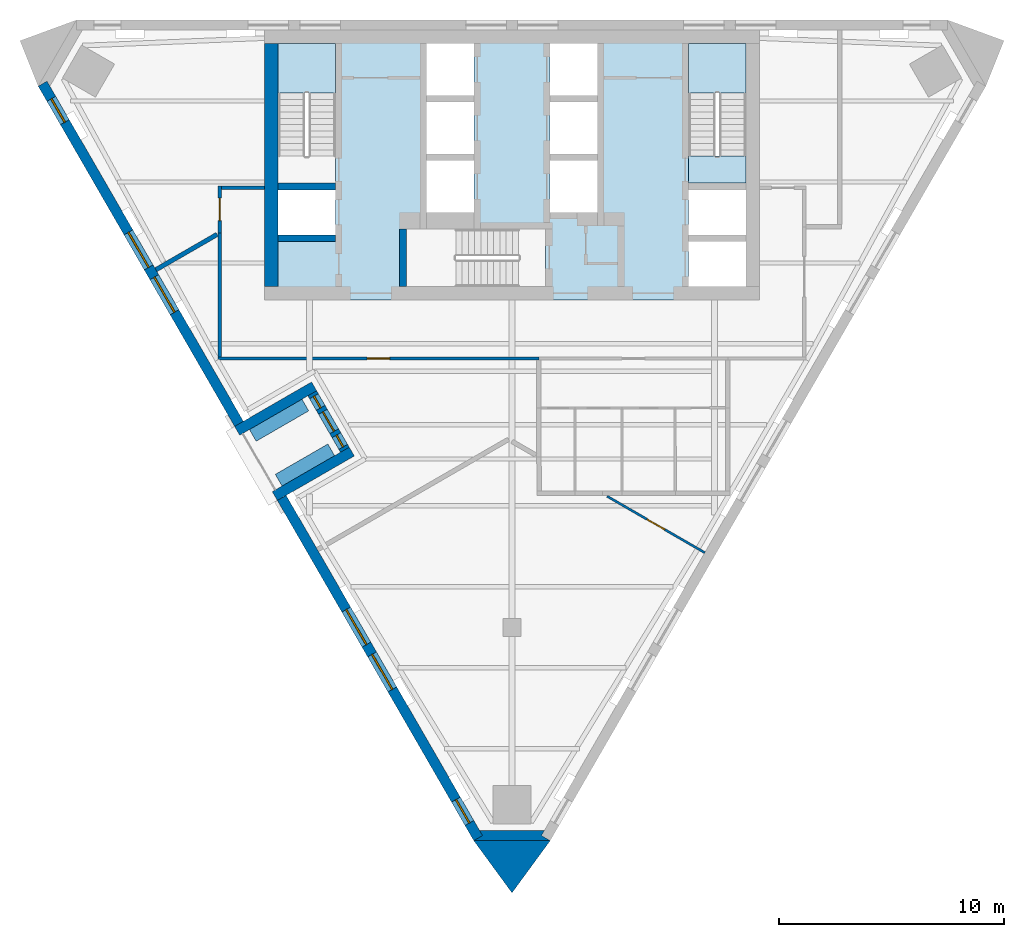
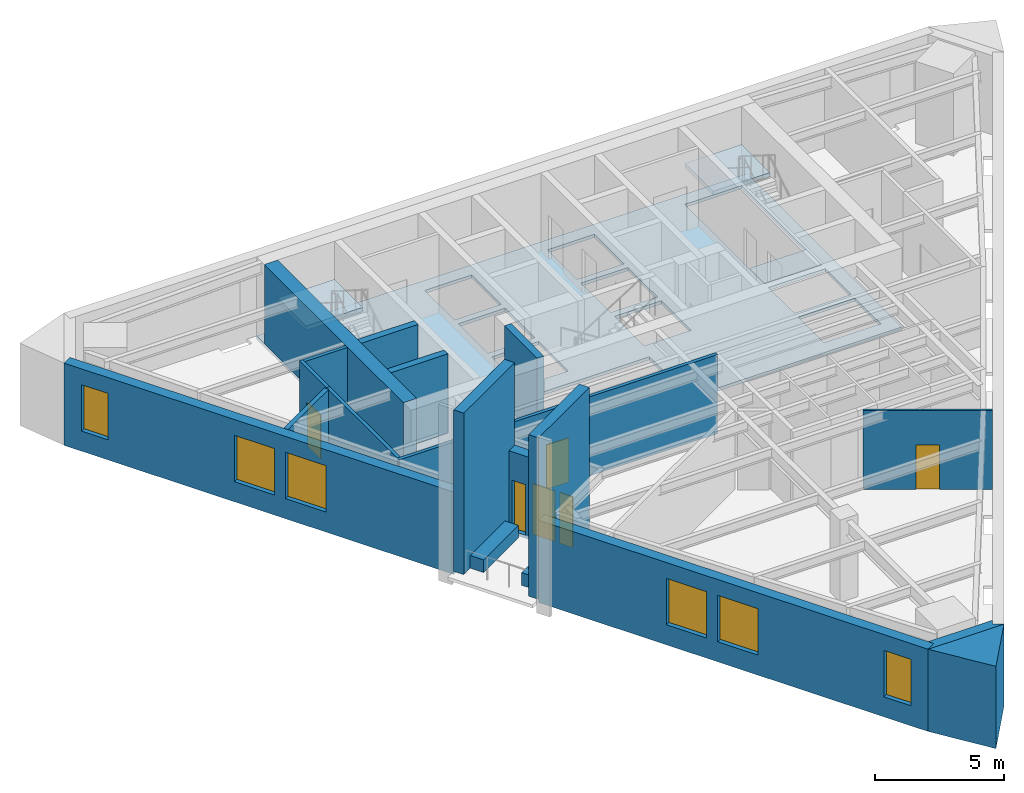
# One storey, part 2 of 6: 19 walls, 8 windows, 4 doors, 4 slabs, 12 openings, 2 elements without a shape of their own.
"""IFC4 building model written with IfcOpenShell, lengths in metres."""

from ifc_helpers import new_model, si_unit, direction, frame, frame_2d, origin, place, context, subcontext, project, spatial, polyline, rectangle, outline, extrude, material, layer, layer_set, type_object, element, fill, aggregate, save


model = new_model("IFC4")

# Units and contexts
model_context = context("Model", 3, precision=1e-05, world=origin(), true_north=direction((0.0, 1.0)))
body_context = subcontext(model_context, "Body", "Model", "MODEL_VIEW")
ifc_project = project(units=[si_unit("LENGTHUNIT", "METRE"), si_unit("AREAUNIT", "SQUARE_METRE"), si_unit("VOLUMEUNIT", "CUBIC_METRE"), si_unit("PLANEANGLEUNIT", "RADIAN"), si_unit("MASSUNIT", "GRAM", prefix="KILO")], contexts=[model_context])

# Site, building, storey
site_placement = place(None, origin())
site = spatial("IfcSite", under=ifc_project, at=site_placement, CompositionType="ELEMENT")
building_placement = place(site_placement, origin())
building = spatial("IfcBuilding", under=site, at=building_placement, Name="Aloe Facet Convention Tower", CompositionType="ELEMENT")
storey_placement = place(building_placement, frame((0.0, 0.0, 199.699951171875)))
storey = spatial("IfcBuildingStorey", under=building, at=storey_placement, Name="L50", CompositionType="ELEMENT", Elevation=199.699951171875)

# Slabs
ifc_material_1 = material(Name="Concrete C50/60", Category="concrete")
ifc_layer_1 = layer(ifc_material_1, 0.14990234375)
ifc_layer_set_1 = layer_set([ifc_layer_1], Name="CR-S-FLOOR150-C5060")
slab_type_1 = type_object("IfcSlabType", Name="CR-S-FLOOR150-C5060", PredefinedType="FLOOR", material=ifc_layer_set_1)
slab_1_placement = place(storey_placement, frame((0.0, 0.0, -0.14990234375)))
element("IfcSlab", 1, at=slab_1_placement, inside=storey, type_object=slab_type_1, Name="Core floor L50", PredefinedType="FLOOR", context=body_context, shape_type="SweptSolid", body=[
    extrude(outline(polyline([(71.85009765625, 134.550048828125), (72.75, 134.550048828125), (75.60009765625, 134.550048828125), (76.5, 134.550048828125), (78.0, 134.550048828125), (78.89990234375, 134.550048828125), (81.10009765625, 134.550048828125), (82.0, 134.550048828125), (83.5, 134.550048828125), (84.39990234375, 134.550048828125), (87.25, 134.550048828125), (88.14990234375, 134.550048828125), (91.0, 134.550048828125), (91.0, 128.050048828125), (91.0, 127.14990234375), (91.0, 125.75), (91.0, 124.85009765625), (91.0, 122.550048828125), (88.14990234375, 122.550048828125), (87.25, 122.550048828125), (85.300048828125, 122.550048828125), (84.39990234375, 122.550048828125), (82.10009765625, 122.550048828125), (81.199951171875, 122.550048828125), (75.60009765625, 122.550048828125), (74.699951171875, 122.550048828125), (72.75, 122.550048828125), (71.85009765625, 122.550048828125), (69.0, 122.550048828125), (69.0, 124.85009765625), (69.0, 125.75), (69.0, 127.14990234375), (69.0, 128.050048828125), (69.0, 134.550048828125), (71.85009765625, 134.550048828125)]), holes=[polyline([(80.298828125, 123.14990234375), (81.5, 123.14990234375), (81.5, 125.699951171875), (80.298828125, 125.699951171875), (75.300048828125, 125.699951171875), (75.300048828125, 123.14990234375), (80.298828125, 123.14990234375)]), polyline([(69.60009765625, 125.449951171875), (72.14990234375, 125.449951171875), (72.14990234375, 127.449951171875), (69.60009765625, 127.449951171875), (69.60009765625, 125.449951171875)]), polyline([(76.199951171875, 126.449951171875), (78.300048828125, 126.449951171875), (78.300048828125, 128.75), (76.199951171875, 128.75), (76.199951171875, 126.449951171875)]), polyline([(78.300048828125, 129.050048828125), (78.300048828125, 131.35009765625), (76.199951171875, 131.35009765625), (76.199951171875, 129.050048828125), (78.300048828125, 129.050048828125)]), polyline([(69.60009765625, 133.949951171875), (69.60009765625, 128.951171875), (69.60009765625, 127.75), (72.14990234375, 127.75), (72.14990234375, 128.951171875), (72.14990234375, 133.949951171875), (69.60009765625, 133.949951171875)]), polyline([(76.199951171875, 131.64990234375), (78.300048828125, 131.64990234375), (78.300048828125, 133.949951171875), (76.199951171875, 133.949951171875), (76.199951171875, 131.64990234375)]), polyline([(90.39990234375, 123.14990234375), (90.39990234375, 125.14990234375), (87.85009765625, 125.14990234375), (87.85009765625, 123.14990234375), (90.39990234375, 123.14990234375)]), polyline([(87.85009765625, 125.449951171875), (90.39990234375, 125.449951171875), (90.39990234375, 127.449951171875), (87.85009765625, 127.449951171875), (87.85009765625, 125.449951171875)]), polyline([(81.699951171875, 126.449951171875), (83.800048828125, 126.449951171875), (83.800048828125, 128.75), (81.699951171875, 128.75), (81.699951171875, 126.449951171875)]), polyline([(83.800048828125, 129.050048828125), (83.800048828125, 131.35009765625), (81.699951171875, 131.35009765625), (81.699951171875, 129.050048828125), (83.800048828125, 129.050048828125)]), polyline([(87.85009765625, 133.949951171875), (87.85009765625, 128.951171875), (87.85009765625, 127.75), (90.39990234375, 127.75), (90.39990234375, 128.951171875), (90.39990234375, 133.949951171875), (87.85009765625, 133.949951171875)]), polyline([(81.699951171875, 131.64990234375), (83.800048828125, 131.64990234375), (83.800048828125, 133.949951171875), (81.699951171875, 133.949951171875), (81.699951171875, 131.64990234375)])]), origin(), (0.0, 0.0, 1.0), 0.14990234375),
])
ifc_material_2 = material(Name="Concrete C50/60", Category="concrete")
ifc_layer_2 = layer(ifc_material_2, 0.300048828125)
ifc_layer_set_2 = layer_set([ifc_layer_2], Name="CR-S-FLOOR300-C5060")
slab_type_2 = type_object("IfcSlabType", Name="CR-S-FLOOR300-C5060", PredefinedType="FLOOR", material=ifc_layer_set_2)
slab_2_placement = place(storey_placement, frame((0.0, 0.0, -0.300048828125)))
element("IfcSlab", 2, at=slab_2_placement, inside=storey, type_object=slab_type_2, Name="Stair landing floor L50", PredefinedType="FLOOR", context=body_context, shape_type="SweptSolid", body=[
    extrude(outline(polyline([(90.39990234375, 127.75), (90.39990234375, 128.951171875), (87.85009765625, 128.951171875), (87.85009765625, 127.75), (90.39990234375, 127.75)])), origin(), (0.0, 0.0, 1.0), 0.300048828125),
])

# Stair, slab
ifc_material_3 = material(Name="Concrete C50/60", Category="concrete")
stair_type = type_object("IfcStairType", Name="CR-ST-22R", PredefinedType="HALF_TURN_STAIR", material=ifc_material_3)
stair_1_placement = place(storey_placement, origin())
stair_1 = element("IfcStair", 3, at=stair_1_placement, inside=storey, type_object=stair_type, Name="L50 Protected exit stair ST1", PredefinedType="HALF_TURN_STAIR")
ifc_material_4 = material(Name="Concrete C50/60", Category="concrete")
ifc_layer_3 = layer(ifc_material_4, 0.199951171875)
ifc_layer_set_3 = layer_set([ifc_layer_3], Name="CR-SL-LANDING")
slab_type_3 = type_object("IfcSlabType", Name="CR-SL-LANDING", PredefinedType="LANDING", material=ifc_layer_set_3)
slab_3_placement = place(storey_placement, frame((0.0, 0.0, 1.75)))
slab_3 = element("IfcSlab", 4, at=slab_3_placement, type_object=slab_type_3, Name="ST1 landing 1", PredefinedType="LANDING", context=body_context, shape_type="SweptSolid", body=[
    extrude(outline(polyline([(72.14990234375, 131.75), (72.14990234375, 133.949951171875), (69.60009765625, 133.949951171875), (69.60009765625, 131.75), (72.14990234375, 131.75)])), origin(), (0.0, 0.0, 1.0), 0.199951171875),
])
aggregate(stair_1, [slab_3])

stair_2_placement = place(storey_placement, origin())
stair_2 = element("IfcStair", 5, at=stair_2_placement, inside=storey, type_object=stair_type, Name="L50 Protected exit stair ST2", PredefinedType="HALF_TURN_STAIR")
slab_4_placement = place(storey_placement, frame((0.0, 0.0, 1.75)))
slab_4 = element("IfcSlab", 6, at=slab_4_placement, type_object=slab_type_3, Name="ST2 landing 1", PredefinedType="LANDING", context=body_context, shape_type="SweptSolid", body=[
    extrude(outline(polyline([(90.39990234375, 131.75), (90.39990234375, 133.949951171875), (87.85009765625, 133.949951171875), (87.85009765625, 131.75), (90.39990234375, 131.75)])), origin(), (0.0, 0.0, 1.0), 0.199951171875),
])
aggregate(stair_2, [slab_4])

# Walls
ifc_material_5 = material(Name="Concrete C50/60", Category="concrete")
ifc_layer_4 = layer(ifc_material_5, 0.300048828125)
ifc_layer_set_4 = layer_set([ifc_layer_4], Name="CR-W-RC300-C5060")
wall_type_1 = type_object("IfcWallType", Name="CR-W-RC300-C5060", PredefinedType="SOLIDWALL", material=ifc_layer_set_4)
for number, where, z_axis, x_axis, name in (
    (7, (69.60009765625, 127.60009765625, 0.0), (0.0, 0.0, 1.0), (1.0, 0.0, 0.0), "Core wall L50-004"),
    (8, (69.60009765625, 125.300048828125, 0.0), (0.0, 0.0, 1.0), (1.0, 0.0, 0.0), "Core wall L50-005"),
):
    element("IfcWall", number, at=place(storey_placement, frame(where, z_axis=z_axis, x_axis=x_axis)), inside=storey, type_object=wall_type_1, Name=name, PredefinedType="SOLIDWALL", context=body_context, shape_type="SweptSolid", body=[
        extrude(rectangle(XDim=2.5498046875, YDim=0.300048828125, at=frame_2d((1.27490234375, 0.0))), origin(), (0.0, 0.0, 1.0), 3.75),
    ])
wall_1_placement = place(storey_placement, frame((75.14990234375, 125.699951171875, 0.0), z_axis=(0.0, 0.0, 1.0), x_axis=(0.0, -1.0, 0.0)))
element("IfcWall", 9, at=wall_1_placement, inside=storey, type_object=wall_type_1, Name="Core wall L50-009", PredefinedType="SOLIDWALL", context=body_context, shape_type="SweptSolid", body=[
    extrude(rectangle(XDim=2.550048828125, YDim=0.300048828125, at=frame_2d((1.27490234375, 0.0))), origin(), (0.0, 0.0, 1.0), 3.75),
])
ifc_material_6 = material(Name="Concrete C50/60", Category="concrete")
ifc_layer_5 = layer(ifc_material_6, 0.60009765625)
ifc_layer_set_5 = layer_set([ifc_layer_5], Name="CR-W-RC600-C5060")
wall_type_2 = type_object("IfcWallType", Name="CR-W-RC600-C5060", PredefinedType="SOLIDWALL", material=ifc_layer_set_5)
wall_2_placement = place(storey_placement, frame((69.300048828125, 133.949951171875, 0.0), z_axis=(0.0, 0.0, 1.0), x_axis=(0.0, -1.0, 0.0)))
element("IfcWall", 10, at=wall_2_placement, inside=storey, type_object=wall_type_2, Name="Core wall L50-002", PredefinedType="SOLIDWALL", context=body_context, shape_type="SweptSolid", body=[
    extrude(rectangle(XDim=10.800048828125, YDim=0.60009765625, at=frame_2d((5.39990234375, 0.0))), origin(), (0.0, 0.0, 1.0), 3.75),
])
ifc_material_7 = material(Name="Precast concrete C40/50", Category="concrete")
ifc_layer_6 = layer(ifc_material_7, 0.60009765625)
ifc_layer_set_6 = layer_set([ifc_layer_6], Name="EV-PLANTER")
wall_type_3 = type_object("IfcWallType", Name="EV-PLANTER", PredefinedType="STANDARD", material=ifc_layer_set_6)
for number, where, z_axis, x_axis, name in (
    (11, (68.4755859375, 116.53125, 0.0), (0.0, 0.0, 1.0), (0.866059108428, 0.4999416173, 0.0), "PLANTER T11-1"),
    (12, (69.625732421875, 114.539306640625, 0.0), (0.0, 0.0, 1.0), (0.86599734893, 0.500048589285, 0.0), "PLANTER T11-2"),
):
    element("IfcWall", number, at=place(storey_placement, frame(where, z_axis=z_axis, x_axis=x_axis)), inside=storey, type_object=wall_type_3, Name=name, PredefinedType="STANDARD", context=body_context, shape_type="SweptSolid", body=[
        extrude(rectangle(XDim=2.699951171875, YDim=0.60009765625, at=frame_2d((1.35009765625, 0.0))), origin(), (0.0, 0.0, 1.0), 0.60009765625),
    ])
ifc_material_8 = material(Name="Precast concrete C40/50", Category="concrete")
ifc_layer_7 = layer(ifc_material_8, 0.449951171875)
ifc_layer_set_7 = layer_set([ifc_layer_7], Name="EV-WALL-PIER")
wall_type_4 = type_object("IfcWallType", Name="EV-WALL-PIER", PredefinedType="SOLIDWALL", material=ifc_layer_set_7)
wall_3_placement = place(storey_placement, frame((0.0, 0.0, -0.14990234375)))
element("IfcWall", 13, at=wall_3_placement, inside=storey, type_object=wall_type_4, Name="EP-L50-B", PredefinedType="SOLIDWALL", context=body_context, shape_type="SweptSolid", body=[
    extrude(outline(polyline([(78.300048828125, 98.514892578125), (78.689697265625, 98.739990234375), (78.559814453125, 98.965087890625), (81.440185546875, 98.965087890625), (81.310302734375, 98.739990234375), (81.699951171875, 98.514892578125), (78.300048828125, 98.514892578125)])), origin(), (0.0, 0.0, 1.0), 3.89990234375),
])
ifc_material_9 = material(Name="Precast concrete C40/50", Category="concrete")
ifc_layer_8 = layer(ifc_material_9, 3.947998046875)
ifc_layer_set_8 = layer_set([ifc_layer_8], Name="EV-WALL-SPINE")
wall_type_5 = type_object("IfcWallType", Name="EV-WALL-SPINE", PredefinedType="SOLIDWALL", material=ifc_layer_set_8)
wall_4_placement = place(storey_placement, frame((0.0, 0.0, -0.14990234375)))
element("IfcWall", 14, at=wall_4_placement, inside=storey, type_object=wall_type_5, Name="SP-S-L50", PredefinedType="SOLIDWALL", context=body_context, shape_type="SweptSolid", body=[
    extrude(outline(polyline([(78.300048828125, 98.514892578125), (80.0, 96.192138671875), (81.699951171875, 98.514892578125), (78.300048828125, 98.514892578125)])), origin(), (0.0, 0.0, 1.0), 3.89990234375),
])

# Wall, openings, windows
ifc_material_10 = material(Name="Precast concrete C40/50", Category="concrete")
ifc_layer_9 = layer(ifc_material_10, 0.449951171875)
ifc_layer_set_9 = layer_set([ifc_layer_9], Name="EV-WALL-STONE")
wall_type_6 = type_object("IfcWallType", Name="EV-WALL-STONE", PredefinedType="SOLIDWALL", material=ifc_layer_set_9)
wall_5_placement = place(storey_placement, frame((59.130126953125, 132.16796875, -0.14990234375), z_axis=(0.0, 0.0, 1.0), x_axis=(0.500006012489, -0.866021932445, 0.0)))
wall_5 = element("IfcWall", 15, at=wall_5_placement, inside=storey, type_object=wall_type_6, Name="EW-L50-W01", PredefinedType="SOLIDWALL", context=body_context, shape_type="SweptSolid", body=[
    extrude(outline(polyline([(0.0, 0.0), (0.0, 3.89990234375), (17.464599609375, 3.89990234375), (17.464599609375, 0.0), (0.0, 0.0)])), frame((0.0, 0.22509765625, 0.0), z_axis=(0.0, -1.0, 0.0), x_axis=(1.0, 0.0, 0.0)), (0.0, 0.0, 1.0), 0.449951171875),
])
opening_1_placement = place(wall_5_placement, frame((0.776123046875, 0.0, 0.949951171875)))
opening_1 = element("IfcOpeningElement", 16, at=opening_1_placement, cuts=wall_5, Name="Opening W-L50-W01", PredefinedType="OPENING", context=body_context, shape_type="SweptSolid", body=[
    extrude(rectangle(XDim=1.199951171875, YDim=2.199951171875, at=frame_2d((0.60009765625, 1.10009765625))), frame((0.0, 0.23486328125, 0.0), z_axis=(0.0, -1.0, 0.0), x_axis=(1.0, 0.0, 0.0)), (0.0, 0.0, 1.0), 0.469970703125),
])
opening_2_placement = place(wall_5_placement, frame((7.63232421875, 0.0, 0.949951171875)))
opening_2 = element("IfcOpeningElement", 17, at=opening_2_placement, cuts=wall_5, Name="Opening W-L50-W02", PredefinedType="OPENING", context=body_context, shape_type="SweptSolid", body=[
    extrude(rectangle(XDim=1.800048828125, YDim=2.199951171875, at=frame_2d((0.89990234375, 1.10009765625))), frame((0.0, 0.23486328125, 0.0), z_axis=(0.0, -1.0, 0.0), x_axis=(1.0, 0.0, 0.0)), (0.0, 0.0, 1.0), 0.469970703125),
])
opening_3_placement = place(wall_5_placement, frame((9.932373046875, 0.0, 0.949951171875)))
opening_3 = element("IfcOpeningElement", 18, at=opening_3_placement, cuts=wall_5, Name="Opening W-L50-W03", PredefinedType="OPENING", context=body_context, shape_type="SweptSolid", body=[
    extrude(rectangle(XDim=1.800048828125, YDim=2.199951171875, at=frame_2d((0.89990234375, 1.10009765625))), frame((0.0, 0.23486328125, 0.0), z_axis=(0.0, -1.0, 0.0), x_axis=(1.0, 0.0, 0.0)), (0.0, 0.0, 1.0), 0.469970703125),
])
ifc_material_11 = material(Name="Aluminium frame, clear double glazing", Category="aluminium")
window_type_1 = type_object("IfcWindowType", Name="EV-WIN-O12", PartitioningType="SINGLE_PANEL", PredefinedType="WINDOW", material=ifc_material_11)
window_1_placement = place(opening_1_placement, origin())
window_1 = element("IfcWindow", 19, at=window_1_placement, inside=storey, type_object=window_type_1, Name="W-L50-W01", OverallHeight=2.199951171875, OverallWidth=1.199951171875, PartitioningType="SINGLE_PANEL", PredefinedType="WINDOW", context=body_context, shape_type="SweptSolid", body=[
    extrude(rectangle(XDim=1.199951171875, YDim=2.199951171875, at=frame_2d((0.60009765625, 1.10009765625))), frame((0.0, 0.030029296875, 0.0), z_axis=(0.0, -1.0, 0.0), x_axis=(1.0, 0.0, 0.0)), (0.0, 0.0, 1.0), 0.06005859375),
])
fill(opening_1, window_1)
ifc_material_12 = material(Name="Aluminium frame, clear double glazing", Category="aluminium")
window_type_2 = type_object("IfcWindowType", Name="EV-WIN-O18", PartitioningType="SINGLE_PANEL", PredefinedType="WINDOW", material=ifc_material_12)
window_2_placement = place(opening_2_placement, origin())
window_2 = element("IfcWindow", 20, at=window_2_placement, inside=storey, type_object=window_type_2, Name="W-L50-W02", OverallHeight=2.199951171875, OverallWidth=1.800048828125, PartitioningType="SINGLE_PANEL", PredefinedType="WINDOW", context=body_context, shape_type="SweptSolid", body=[
    extrude(rectangle(XDim=1.800048828125, YDim=2.199951171875, at=frame_2d((0.89990234375, 1.10009765625))), frame((0.0, 0.030029296875, 0.0), z_axis=(0.0, -1.0, 0.0), x_axis=(1.0, 0.0, 0.0)), (0.0, 0.0, 1.0), 0.06005859375),
])
fill(opening_2, window_2)
window_3_placement = place(opening_3_placement, origin())
window_3 = element("IfcWindow", 21, at=window_3_placement, inside=storey, type_object=window_type_2, Name="W-L50-W03", OverallHeight=2.199951171875, OverallWidth=1.800048828125, PartitioningType="SINGLE_PANEL", PredefinedType="WINDOW", context=body_context, shape_type="SweptSolid", body=[
    extrude(rectangle(XDim=1.800048828125, YDim=2.199951171875, at=frame_2d((0.89990234375, 1.10009765625))), frame((0.0, 0.030029296875, 0.0), z_axis=(0.0, -1.0, 0.0), x_axis=(1.0, 0.0, 0.0)), (0.0, 0.0, 1.0), 0.06005859375),
])
fill(opening_3, window_3)

wall_6_placement = place(storey_placement, frame((69.762451171875, 113.752197265625, -0.14990234375), z_axis=(0.0, 0.0, 1.0), x_axis=(0.500006012489, -0.866021932445, 0.0)))
wall_6 = element("IfcWall", 22, at=wall_6_placement, inside=storey, type_object=wall_type_6, Name="EW-L50-W02", PredefinedType="SOLIDWALL", context=body_context, shape_type="SweptSolid", body=[
    extrude(outline(polyline([(17.464599609375, 3.89990234375), (17.464599609375, 0.0), (0.0, 0.0), (0.0, 3.89990234375), (17.464599609375, 3.89990234375)])), frame((0.0, 0.22509765625, 0.0), z_axis=(0.0, -1.0, 0.0), x_axis=(1.0, 0.0, 0.0)), (0.0, 0.0, 1.0), 0.449951171875),
])
opening_4_placement = place(wall_6_placement, frame((5.732421875, 0.0, 0.949951171875)))
opening_4 = element("IfcOpeningElement", 23, at=opening_4_placement, cuts=wall_6, Name="Opening W-L50-W04", PredefinedType="OPENING", context=body_context, shape_type="SweptSolid", body=[
    extrude(rectangle(XDim=1.800048828125, YDim=2.199951171875, at=frame_2d((0.89990234375, 1.10009765625))), frame((0.0, 0.23486328125, 0.0), z_axis=(0.0, -1.0, 0.0), x_axis=(1.0, 0.0, 0.0)), (0.0, 0.0, 1.0), 0.469970703125),
])
opening_5_placement = place(wall_6_placement, frame((8.0322265625, 0.0, 0.949951171875)))
opening_5 = element("IfcOpeningElement", 24, at=opening_5_placement, cuts=wall_6, Name="Opening W-L50-W05", PredefinedType="OPENING", context=body_context, shape_type="SweptSolid", body=[
    extrude(rectangle(XDim=1.800048828125, YDim=2.199951171875, at=frame_2d((0.89990234375, 1.10009765625))), frame((0.0, 0.23486328125, 0.0), z_axis=(0.0, -1.0, 0.0), x_axis=(1.0, 0.0, 0.0)), (0.0, 0.0, 1.0), 0.469970703125),
])
opening_6_placement = place(wall_6_placement, frame((15.488525390625, 0.0, 0.949951171875)))
opening_6 = element("IfcOpeningElement", 25, at=opening_6_placement, cuts=wall_6, Name="Opening W-L50-W06", PredefinedType="OPENING", context=body_context, shape_type="SweptSolid", body=[
    extrude(rectangle(XDim=1.199951171875, YDim=2.199951171875, at=frame_2d((0.60009765625, 1.10009765625))), frame((0.0, 0.23486328125, 0.0), z_axis=(0.0, -1.0, 0.0), x_axis=(1.0, 0.0, 0.0)), (0.0, 0.0, 1.0), 0.469970703125),
])
window_4_placement = place(opening_6_placement, origin())
window_4 = element("IfcWindow", 26, at=window_4_placement, inside=storey, type_object=window_type_1, Name="W-L50-W06", OverallHeight=2.199951171875, OverallWidth=1.199951171875, PartitioningType="SINGLE_PANEL", PredefinedType="WINDOW", context=body_context, shape_type="SweptSolid", body=[
    extrude(rectangle(XDim=1.199951171875, YDim=2.199951171875, at=frame_2d((0.60009765625, 1.10009765625))), frame((0.0, 0.030029296875, 0.0), z_axis=(0.0, -1.0, 0.0), x_axis=(1.0, 0.0, 0.0)), (0.0, 0.0, 1.0), 0.06005859375),
])
fill(opening_6, window_4)
window_5_placement = place(opening_4_placement, origin())
window_5 = element("IfcWindow", 27, at=window_5_placement, inside=storey, type_object=window_type_2, Name="W-L50-W04", OverallHeight=2.199951171875, OverallWidth=1.800048828125, PartitioningType="SINGLE_PANEL", PredefinedType="WINDOW", context=body_context, shape_type="SweptSolid", body=[
    extrude(rectangle(XDim=1.800048828125, YDim=2.199951171875, at=frame_2d((0.89990234375, 1.10009765625))), frame((0.0, 0.030029296875, 0.0), z_axis=(0.0, -1.0, 0.0), x_axis=(1.0, 0.0, 0.0)), (0.0, 0.0, 1.0), 0.06005859375),
])
fill(opening_4, window_5)
window_6_placement = place(opening_5_placement, origin())
window_6 = element("IfcWindow", 28, at=window_6_placement, inside=storey, type_object=window_type_2, Name="W-L50-W05", OverallHeight=2.199951171875, OverallWidth=1.800048828125, PartitioningType="SINGLE_PANEL", PredefinedType="WINDOW", context=body_context, shape_type="SweptSolid", body=[
    extrude(rectangle(XDim=1.800048828125, YDim=2.199951171875, at=frame_2d((0.89990234375, 1.10009765625))), frame((0.0, 0.030029296875, 0.0), z_axis=(0.0, -1.0, 0.0), x_axis=(1.0, 0.0, 0.0)), (0.0, 0.0, 1.0), 0.06005859375),
])
fill(opening_5, window_6)

# Walls
for number, where, z_axis, x_axis, name in (
    (29, (67.7802734375, 116.73583984375, 0.0), (0.0, 0.0, 1.0), (0.866005453737, 0.500034552904, 0.0), "TW-T11-1"),
    (30, (69.455078125, 113.834716796875, 0.0), (0.0, 0.0, 1.0), (0.866047669374, 0.499961432884, 0.0), "TW-T11-2"),
):
    element("IfcWall", number, at=place(storey_placement, frame(where, z_axis=z_axis, x_axis=x_axis)), inside=storey, type_object=wall_type_6, Name=name, PredefinedType="SOLIDWALL", context=body_context, shape_type="SweptSolid", body=[
        extrude(rectangle(XDim=3.949951171875, YDim=0.449951171875, at=frame_2d((1.97509765625, 0.0))), origin(), (0.0, 0.0, 1.0), 7.650146484375),
    ])

# Wall, openings, door, windows
wall_7_placement = place(storey_placement, frame((71.11865234375, 118.403564453125, -0.14990234375), z_axis=(0.0, 0.0, 1.0), x_axis=(0.499987231761, -0.866032775405, 0.0)))
wall_7 = element("IfcWall", 31, at=wall_7_placement, inside=storey, type_object=wall_type_6, Name="TB-T11-L50", PredefinedType="SOLIDWALL", context=body_context, shape_type="SweptSolid", body=[
    extrude(rectangle(XDim=2.89990234375, YDim=0.449951171875, at=frame_2d((1.449951171875, 0.0))), origin(), (0.0, 0.0, 1.0), 3.89990234375),
])
opening_7_placement = place(wall_7_placement, frame((0.949951171875, 0.0, 0.14990234375)))
opening_7 = element("IfcOpeningElement", 32, at=opening_7_placement, cuts=wall_7, Name="Opening D-T11", PredefinedType="OPENING", context=body_context, shape_type="SweptSolid", body=[
    extrude(rectangle(XDim=1.0, YDim=2.39990234375, at=frame_2d((0.5, 1.199951171875))), frame((0.0, 0.23486328125, 0.0), z_axis=(0.0, -1.0, 0.0), x_axis=(1.0, 0.0, 0.0)), (0.0, 0.0, 1.0), 0.469970703125),
])
opening_8_placement = place(wall_7_placement, frame((0.14990234375, 0.0, 0.14990234375)))
opening_8 = element("IfcOpeningElement", 33, at=opening_8_placement, cuts=wall_7, Name="Opening G-T11-1", PredefinedType="OPENING", context=body_context, shape_type="SweptSolid", body=[
    extrude(rectangle(XDim=0.60009765625, YDim=2.39990234375, at=frame_2d((0.300048828125, 1.199951171875))), frame((0.0, 0.23486328125, 0.0), z_axis=(0.0, -1.0, 0.0), x_axis=(1.0, 0.0, 0.0)), (0.0, 0.0, 1.0), 0.469970703125),
])
opening_9_placement = place(wall_7_placement, frame((2.14990234375, 0.0, 0.14990234375)))
opening_9 = element("IfcOpeningElement", 34, at=opening_9_placement, cuts=wall_7, Name="Opening G-T11-2", PredefinedType="OPENING", context=body_context, shape_type="SweptSolid", body=[
    extrude(rectangle(XDim=0.60009765625, YDim=2.39990234375, at=frame_2d((0.300048828125, 1.199951171875))), frame((0.0, 0.23486328125, 0.0), z_axis=(0.0, -1.0, 0.0), x_axis=(1.0, 0.0, 0.0)), (0.0, 0.0, 1.0), 0.469970703125),
])
ifc_material_13 = material(Name="Aluminium frame, clear double glazing", Category="aluminium")
door_type_1 = type_object("IfcDoorType", Name="EV-DOOR-TERR", OperationType="SINGLE_SWING_LEFT", PredefinedType="DOOR", material=ifc_material_13)
door_1_placement = place(opening_7_placement, origin())
door_1 = element("IfcDoor", 35, at=door_1_placement, inside=storey, type_object=door_type_1, Name="D-T11", OperationType="SINGLE_SWING_LEFT", OverallHeight=2.39990234375, OverallWidth=1.0, PredefinedType="DOOR", context=body_context, shape_type="SweptSolid", body=[
    extrude(rectangle(XDim=1.0, YDim=2.39990234375, at=frame_2d((0.5, 1.199951171875))), frame((0.0, 0.02490234375, 0.0), z_axis=(0.0, -1.0, 0.0), x_axis=(1.0, 0.0, 0.0)), (0.0, 0.0, 1.0), 0.050048828125),
])
fill(opening_7, door_1)
ifc_material_14 = material(Name="Aluminium frame, clear double glazing", Category="aluminium")
window_type_3 = type_object("IfcWindowType", Name="EV-WIN-SL60", PartitioningType="SINGLE_PANEL", PredefinedType="WINDOW", material=ifc_material_14)
window_7_placement = place(opening_8_placement, origin())
window_7 = element("IfcWindow", 36, at=window_7_placement, inside=storey, type_object=window_type_3, Name="G-T11-1", OverallHeight=2.39990234375, OverallWidth=0.60009765625, PartitioningType="SINGLE_PANEL", PredefinedType="WINDOW", context=body_context, shape_type="SweptSolid", body=[
    extrude(rectangle(XDim=0.60009765625, YDim=2.39990234375, at=frame_2d((0.300048828125, 1.199951171875))), frame((0.0, 0.030029296875, 0.0), z_axis=(0.0, -1.0, 0.0), x_axis=(1.0, 0.0, 0.0)), (0.0, 0.0, 1.0), 0.06005859375),
])
fill(opening_8, window_7)
window_8_placement = place(opening_9_placement, origin())
window_8 = element("IfcWindow", 37, at=window_8_placement, inside=storey, type_object=window_type_3, Name="G-T11-2", OverallHeight=2.39990234375, OverallWidth=0.60009765625, PartitioningType="SINGLE_PANEL", PredefinedType="WINDOW", context=body_context, shape_type="SweptSolid", body=[
    extrude(rectangle(XDim=0.60009765625, YDim=2.39990234375, at=frame_2d((0.300048828125, 1.199951171875))), frame((0.0, 0.030029296875, 0.0), z_axis=(0.0, -1.0, 0.0), x_axis=(1.0, 0.0, 0.0)), (0.0, 0.0, 1.0), 0.06005859375),
])
fill(opening_9, window_8)

# Wall, opening, door
ifc_material_15 = material(Name="Gypsum board partition on steel studs", Category="steel")
ifc_layer_10 = layer(ifc_material_15, 0.14990234375)
ifc_layer_set_10 = layer_set([ifc_layer_10], Name="IN-W-CORR")
wall_type_7 = type_object("IfcWallType", Name="IN-W-CORR", PredefinedType="PARTITIONING", material=ifc_layer_set_10)
wall_8_placement = place(storey_placement, frame((66.925048828125, 119.949951171875, 0.0), z_axis=(0.0, 0.0, 1.0), x_axis=(1.0, 0.0, 0.0)))
wall_8 = element("IfcWall", 38, at=wall_8_placement, inside=storey, type_object=wall_type_7, Name="Partition L50-W021", PredefinedType="PARTITIONING", context=body_context, shape_type="SweptSolid", body=[
    extrude(rectangle(XDim=14.27490234375, YDim=0.14990234375, at=frame_2d((7.137451171875, 0.0))), origin(), (0.0, 0.0, 1.0), 3.75),
])
opening_10_placement = place(wall_8_placement, frame((6.637451171875, 0.0, 0.0)))
opening_10 = element("IfcOpeningElement", 39, at=opening_10_placement, cuts=wall_8, Name="Opening L50-008", PredefinedType="OPENING", context=body_context, shape_type="SweptSolid", body=[
    extrude(rectangle(XDim=1.0, YDim=2.10009765625, at=frame_2d((0.5, 1.050048828125))), frame((0.0, 0.0849609375, 0.0), z_axis=(0.0, -1.0, 0.0), x_axis=(1.0, 0.0, 0.0)), (0.0, 0.0, 1.0), 0.169921875),
])
ifc_material_16 = material(Name="Timber door FD30S with vision panel", Category="wood")
door_type_2 = type_object("IfcDoorType", Name="IN-OFF-D-ENTRY", OperationType="SINGLE_SWING_LEFT", PredefinedType="DOOR", material=ifc_material_16)
door_2_placement = place(opening_10_placement, origin())
door_2 = element("IfcDoor", 40, at=door_2_placement, inside=storey, type_object=door_type_2, Name="Door L50-008", OperationType="SINGLE_SWING_LEFT", OverallHeight=2.10009765625, OverallWidth=1.0, PredefinedType="DOOR", context=body_context, shape_type="SweptSolid", body=[
    extrude(rectangle(XDim=1.0, YDim=2.10009765625, at=frame_2d((0.5, 1.050048828125))), frame((0.0, 0.02490234375, 0.0), z_axis=(0.0, -1.0, 0.0), x_axis=(1.0, 0.0, 0.0)), (0.0, 0.0, 1.0), 0.050048828125),
])
fill(opening_10, door_2)

wall_9_placement = place(storey_placement, frame((67.0, 125.531494140625, 0.0), z_axis=(0.0, 0.0, 1.0), x_axis=(0.0, 1.0, 0.0)))
wall_9 = element("IfcWall", 41, at=wall_9_placement, inside=storey, type_object=wall_type_7, Name="Partition L50-W026", PredefinedType="PARTITIONING", context=body_context, shape_type="SweptSolid", body=[
    extrude(rectangle(XDim=2.093505859375, YDim=0.14990234375, at=frame_2d((1.046875, 0.0))), origin(), (0.0, 0.0, 1.0), 3.75),
])
opening_11_placement = place(wall_9_placement, frame((0.546875, 0.0, 0.0)))
opening_11 = element("IfcOpeningElement", 42, at=opening_11_placement, cuts=wall_9, Name="Opening L50-007", PredefinedType="OPENING", context=body_context, shape_type="SweptSolid", body=[
    extrude(rectangle(XDim=1.0, YDim=2.10009765625, at=frame_2d((0.5, 1.050048828125))), frame((0.0, 0.0849609375, 0.0), z_axis=(0.0, -1.0, 0.0), x_axis=(1.0, 0.0, 0.0)), (0.0, 0.0, 1.0), 0.169921875),
])
door_3_placement = place(opening_11_placement, origin())
door_3 = element("IfcDoor", 43, at=door_3_placement, inside=storey, type_object=door_type_2, Name="Door L50-007", OperationType="SINGLE_SWING_LEFT", OverallHeight=2.10009765625, OverallWidth=1.0, PredefinedType="DOOR", context=body_context, shape_type="SweptSolid", body=[
    extrude(rectangle(XDim=1.0, YDim=2.10009765625, at=frame_2d((0.5, 1.050048828125))), frame((0.0, 0.02490234375, 0.0), z_axis=(0.0, -1.0, 0.0), x_axis=(1.0, 0.0, 0.0)), (0.0, 0.0, 1.0), 0.050048828125),
])
fill(opening_11, door_3)

# Walls
wall_10_placement = place(storey_placement, frame((67.0, 120.02490234375, 0.0), z_axis=(0.0, 0.0, 1.0), x_axis=(0.0, 1.0, 0.0)))
element("IfcWall", 44, at=wall_10_placement, inside=storey, type_object=wall_type_7, Name="Partition L50-W027", PredefinedType="PARTITIONING", context=body_context, shape_type="SweptSolid", body=[
    extrude(rectangle(XDim=5.506591796875, YDim=0.14990234375, at=frame_2d((2.75341796875, 0.0))), origin(), (0.0, 0.0, 1.0), 3.75),
])
wall_11_placement = place(storey_placement, frame((67.074951171875, 127.550048828125, 0.0), z_axis=(0.0, 0.0, 1.0), x_axis=(1.0, 0.0, 0.0)))
element("IfcWall", 45, at=wall_11_placement, inside=storey, type_object=wall_type_7, Name="Partition L50-W030", PredefinedType="PARTITIONING", context=body_context, shape_type="SweptSolid", body=[
    extrude(rectangle(XDim=1.925048828125, YDim=0.14990234375, at=frame_2d((0.96240234375, 0.0))), origin(), (0.0, 0.0, 1.0), 3.75),
])

# Wall, opening, door
ifc_material_17 = material(Name="Gypsum board partition on steel studs", Category="steel")
ifc_layer_11 = layer(ifc_material_17, 0.10009765625)
ifc_layer_set_11 = layer_set([ifc_layer_11], Name="IN-W-PART")
wall_type_8 = type_object("IfcWallType", Name="IN-W-PART", PredefinedType="PARTITIONING", material=ifc_layer_set_11)
wall_12_placement = place(storey_placement, frame((84.229248046875, 113.824951171875, 0.0), z_axis=(0.0, 0.0, 1.0), x_axis=(0.866023434512, -0.500003410864, 0.0)))
wall_12 = element("IfcWall", 46, at=wall_12_placement, inside=storey, type_object=wall_type_8, Name="Partition L50-W004", PredefinedType="PARTITIONING", context=body_context, shape_type="SweptSolid", body=[
    extrude(rectangle(XDim=5.0146484375, YDim=0.10009765625, at=frame_2d((2.50732421875, 0.0))), origin(), (0.0, 0.0, 1.0), 3.75),
])
opening_12_placement = place(wall_12_placement, frame((2.057373046875, 0.0, 0.0)))
opening_12 = element("IfcOpeningElement", 47, at=opening_12_placement, cuts=wall_12, Name="Opening L50-010", PredefinedType="OPENING", context=body_context, shape_type="SweptSolid", body=[
    extrude(rectangle(XDim=0.89990234375, YDim=2.10009765625, at=frame_2d((0.449951171875, 1.050048828125))), frame((0.0, 0.06005859375, 0.0), z_axis=(0.0, -1.0, 0.0), x_axis=(1.0, 0.0, 0.0)), (0.0, 0.0, 1.0), 0.1201171875),
])
ifc_material_18 = material(Name="Timber door", Category="wood")
door_type_3 = type_object("IfcDoorType", Name="IN-OFF-D-ROOM", OperationType="SINGLE_SWING_LEFT", PredefinedType="DOOR", material=ifc_material_18)
door_4_placement = place(opening_12_placement, origin())
door_4 = element("IfcDoor", 48, at=door_4_placement, inside=storey, type_object=door_type_3, Name="Door L50-010", OperationType="SINGLE_SWING_LEFT", OverallHeight=2.10009765625, OverallWidth=0.89990234375, PredefinedType="DOOR", context=body_context, shape_type="SweptSolid", body=[
    extrude(rectangle(XDim=0.89990234375, YDim=2.10009765625, at=frame_2d((0.449951171875, 1.050048828125))), frame((0.0, 0.02490234375, 0.0), z_axis=(0.0, -1.0, 0.0), x_axis=(1.0, 0.0, 0.0)), (0.0, 0.0, 1.0), 0.050048828125),
])
fill(opening_12, door_4)

# Wall
ifc_material_19 = material(Name="Gypsum board partition on steel studs", Category="steel")
ifc_layer_12 = layer(ifc_material_19, 0.199951171875)
ifc_layer_set_12 = layer_set([ifc_layer_12], Name="IN-W-PARTY")
wall_type_9 = type_object("IfcWallType", Name="IN-W-PARTY", PredefinedType="PARTITIONING", material=ifc_layer_set_12)
wall_13_placement = place(storey_placement, frame((64.166259765625, 123.8955078125, 0.0), z_axis=(0.0, 0.0, 1.0), x_axis=(0.866024095498, 0.500002266011, 0.0)))
element("IfcWall", 49, at=wall_13_placement, inside=storey, type_object=wall_type_9, Name="Partition L50-W025", PredefinedType="PARTITIONING", context=body_context, shape_type="SweptSolid", body=[
    extrude(rectangle(XDim=3.14697265625, YDim=0.199951171875, at=frame_2d((1.573486328125, 0.0))), origin(), (0.0, 0.0, 1.0), 3.75),
])

save(model, "model.ifc")
